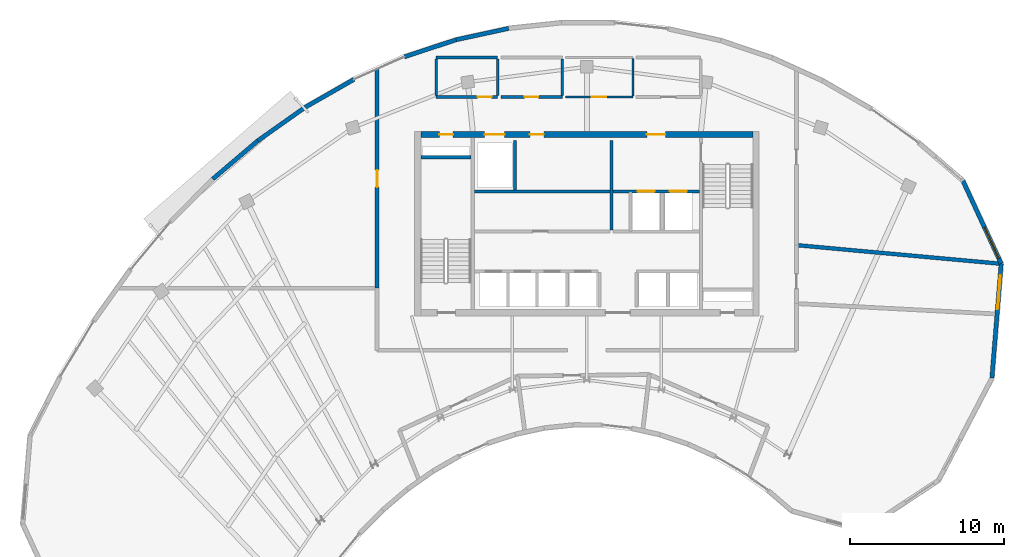
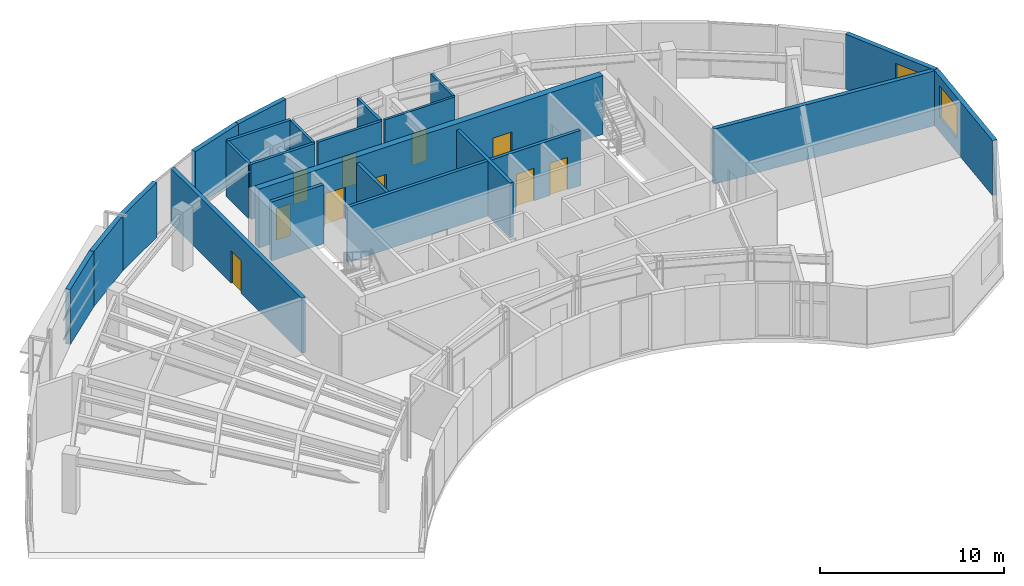
# One storey, part 10 of 12: 23 walls, 10 doors, 2 windows, 12 openings.
"""IFC4 building model written with IfcOpenShell, lengths in metres."""

from ifc_helpers import new_model, si_unit, direction, frame, frame_2d, origin, place, context, subcontext, project, spatial, rectangle, extrude, source, transform, mapped, material, layer, layer_set, type_object, type_shapes, element, fill, save


model = new_model("IFC4")

# Units and contexts
model_context = context("Model", 3, precision=1e-05, world=origin(), true_north=direction((0.0, 1.0)))
body_context = subcontext(model_context, "Body", "Model", "MODEL_VIEW")
ifc_project = project(units=[si_unit("LENGTHUNIT", "METRE"), si_unit("AREAUNIT", "SQUARE_METRE"), si_unit("VOLUMEUNIT", "CUBIC_METRE"), si_unit("PLANEANGLEUNIT", "RADIAN"), si_unit("MASSUNIT", "GRAM", prefix="KILO")], contexts=[model_context])

# Site, building, storey
site_placement = place(None, origin())
site = spatial("IfcSite", under=ifc_project, at=site_placement, CompositionType="ELEMENT")
building_placement = place(site_placement, origin())
building = spatial("IfcBuilding", under=site, at=building_placement, Name="Breltana Convention Tower", CompositionType="ELEMENT")
storey_placement = place(building_placement, frame((0.0, 0.0, 260.10009765625)))
storey = spatial("IfcBuildingStorey", under=building, at=storey_placement, Name="L63", CompositionType="ELEMENT", Elevation=260.10009765625)

# Wall
ifc_material_1 = material(Name="Concrete C50/60", Category="concrete")
ifc_layer_1 = layer(ifc_material_1, 0.39990234375, Name="Concrete C50/60")
ifc_layer_set_1 = layer_set([ifc_layer_1], Name="Concrete C50/60")
wall_type_1 = type_object("IfcWallType", Name="SW-CORE-400", PredefinedType="SHEAR", material=ifc_layer_set_1)
shared_shape_1 = source(origin(), body_context, "Body", "SweptSolid", [
    extrude(rectangle(XDim=3.27001953125, YDim=0.219970703125, at=frame_2d((1.635009765625, 0.0))), origin(), (0.0, 0.0, 1.0), 3.89990234375),
])
wall_1_placement = place(storey_placement, frame((37.199951171875, 70.510009765625, 0.0), z_axis=(0.0, 0.0, 1.0), x_axis=(1.0, 0.0, 0.0)))
element("IfcWall", 1, at=wall_1_placement, inside=storey, type_object=wall_type_1, Name="L63 ST-1 Stairwell North Bearing Wall", PredefinedType="SHEAR", context=body_context, shape_type="MappedRepresentation", body=[
    mapped(shared_shape_1, transform((0.0, 0.0, 0.0), scale=1.0)),
])

# Wall, openings, doors
shared_shape_2 = source(origin(), body_context, "Body", "SweptSolid", [
    extrude(rectangle(XDim=21.60009765625, YDim=0.39990234375, at=frame_2d((10.800048828125, 0.0))), origin(), (0.0, 0.0, 1.0), 3.89990234375),
])
wall_2_placement = place(storey_placement, frame((37.199951171875, 72.0, 0.0), z_axis=(0.0, 0.0, 1.0), x_axis=(1.0, 0.0, 0.0)))
wall_2 = element("IfcWall", 2, at=wall_2_placement, inside=storey, type_object=wall_type_1, Name="L63 North Core Shear Wall", PredefinedType="SHEAR", context=body_context, shape_type="MappedRepresentation", body=[
    mapped(shared_shape_2, transform((0.0, 0.0, 0.0), scale=1.0)),
])
opening_1_placement = place(wall_2_placement, frame((1.199951171875, 0.0, 0.0)))
opening_1 = element("IfcOpeningElement", 3, at=opening_1_placement, cuts=wall_2, Name="Opening D-18", PredefinedType="OPENING", context=body_context, shape_type="SweptSolid", body=[
    extrude(rectangle(XDim=0.89990234375, YDim=2.10009765625, at=frame_2d((0.449951171875, 1.050048828125))), frame((0.0, 0.2099609375, 0.0), z_axis=(0.0, -1.0, 0.0), x_axis=(1.0, 0.0, 0.0)), (0.0, 0.0, 1.0), 0.419921875),
])
opening_2_placement = place(wall_2_placement, frame((14.699951171875, 0.0, 0.0)))
opening_2 = element("IfcOpeningElement", 4, at=opening_2_placement, cuts=wall_2, Name="Opening D-09", PredefinedType="OPENING", context=body_context, shape_type="SweptSolid", body=[
    extrude(rectangle(XDim=1.199951171875, YDim=2.14990234375, at=frame_2d((0.60009765625, 1.074951171875))), frame((0.0, 0.2099609375, 0.0), z_axis=(0.0, -1.0, 0.0), x_axis=(1.0, 0.0, 0.0)), (0.0, 0.0, 1.0), 0.419921875),
])
opening_3_placement = place(wall_2_placement, frame((4.14990234375, 0.0, 0.0)))
opening_3 = element("IfcOpeningElement", 5, at=opening_3_placement, cuts=wall_2, Name="Opening LD-01", PredefinedType="OPENING", context=body_context, shape_type="SweptSolid", body=[
    extrude(rectangle(XDim=1.300048828125, YDim=2.14990234375, at=frame_2d((0.64990234375, 1.074951171875))), frame((0.0, 0.2099609375, 0.0), z_axis=(0.0, -1.0, 0.0), x_axis=(1.0, 0.0, 0.0)), (0.0, 0.0, 1.0), 0.419921875),
])
opening_4_placement = place(wall_2_placement, frame((7.10009765625, 0.0, 0.0)))
opening_4 = element("IfcOpeningElement", 6, at=opening_4_placement, cuts=wall_2, Name="Opening D-18", PredefinedType="OPENING", context=body_context, shape_type="SweptSolid", body=[
    extrude(rectangle(XDim=0.89990234375, YDim=2.10009765625, at=frame_2d((0.449951171875, 1.050048828125))), frame((0.0, 0.2099609375, 0.0), z_axis=(0.0, -1.0, 0.0), x_axis=(1.0, 0.0, 0.0)), (0.0, 0.0, 1.0), 0.419921875),
])
ifc_material_2 = material(Name="Steel Riser Fire Door", Category="steel")
door_type_1 = type_object("IfcDoorType", Name="DR-FD60-900", OperationType="NOTDEFINED", PredefinedType="DOOR", material=ifc_material_2)
shared_shape_3 = source(origin(), body_context, "Body", "SweptSolid", [
    extrude(rectangle(XDim=0.89990234375, YDim=2.10009765625, at=frame_2d((0.449951171875, 1.050048828125))), frame((0.0, 0.02490234375, 0.0), z_axis=(0.0, -1.0, 0.0), x_axis=(1.0, 0.0, 0.0)), (0.0, 0.0, 1.0), 0.050048828125),
])
type_shapes(door_type_1, [shared_shape_3])
door_1_placement = place(opening_1_placement, origin())
door_1 = element("IfcDoor", 7, at=door_1_placement, inside=storey, type_object=door_type_1, Name="L63 Core Riser Access Door D-L63-RS1", OperationType="SINGLE_SWING_LEFT", OverallHeight=2.10009765625, OverallWidth=0.89990234375, PredefinedType="DOOR", context=body_context, shape_type="MappedRepresentation", body=[
    mapped(shared_shape_3, transform((0.0, 0.0, 0.0), scale=1.0)),
])
fill(opening_1, door_1)
door_2_placement = place(opening_4_placement, origin())
door_2 = element("IfcDoor", 8, at=door_2_placement, inside=storey, type_object=door_type_1, Name="L63 interior door D-L63-CRA1", OperationType="SINGLE_SWING_LEFT", OverallHeight=2.10009765625, OverallWidth=0.89990234375, PredefinedType="DOOR", context=body_context, shape_type="MappedRepresentation", body=[
    mapped(shared_shape_3, transform((0.0, 0.0, 0.0), scale=1.0)),
])
fill(opening_4, door_2)
ifc_material_3 = material(Name="Steel Fire Lobby Door", Category="steel")
door_type_2 = type_object("IfcDoorType", Name="DR-FD120-1200", OperationType="NOTDEFINED", PredefinedType="DOOR", material=ifc_material_3)
shared_shape_4 = source(origin(), body_context, "Body", "SweptSolid", [
    extrude(rectangle(XDim=1.199951171875, YDim=2.14990234375, at=frame_2d((0.60009765625, 1.074951171875))), frame((0.0, 0.02490234375, 0.0), z_axis=(0.0, -1.0, 0.0), x_axis=(1.0, 0.0, 0.0)), (0.0, 0.0, 1.0), 0.050048828125),
])
type_shapes(door_type_2, [shared_shape_4])
door_3_placement = place(opening_2_placement, origin())
door_3 = element("IfcDoor", 9, at=door_3_placement, inside=storey, type_object=door_type_2, Name="L63 interior door D-L63-FFL-N", OperationType="SINGLE_SWING_RIGHT", OverallHeight=2.14990234375, OverallWidth=1.199951171875, PredefinedType="DOOR", context=body_context, shape_type="MappedRepresentation", body=[
    mapped(shared_shape_4, transform((0.0, 0.0, 0.0), scale=1.0)),
])
fill(opening_2, door_3)
ifc_material_4 = material(Name="Stainless Steel Brushed", Category="steel")
door_type_3 = type_object("IfcDoorType", Name="DR-LD-SRV-1300", OperationType="DOUBLE_DOOR_SLIDING", PredefinedType="DOOR", material=ifc_material_4)
shared_shape_5 = source(origin(), body_context, "Body", "SweptSolid", [
    extrude(rectangle(XDim=1.300048828125, YDim=2.14990234375, at=frame_2d((0.64990234375, 1.074951171875))), frame((0.0, 0.02490234375, 0.0), z_axis=(0.0, -1.0, 0.0), x_axis=(1.0, 0.0, 0.0)), (0.0, 0.0, 1.0), 0.050048828125),
])
type_shapes(door_type_3, [shared_shape_5])
door_4_placement = place(opening_3_placement, origin())
door_4 = element("IfcDoor", 10, at=door_4_placement, inside=storey, type_object=door_type_3, Name="L63 Lift Landing Door D-L63-LD-SV1", OperationType="DOUBLE_DOOR_SLIDING", OverallHeight=2.14990234375, OverallWidth=1.300048828125, PredefinedType="DOOR", context=body_context, shape_type="MappedRepresentation", body=[
    mapped(shared_shape_5, transform((0.0, 0.0, 0.0), scale=1.0)),
])
fill(opening_3, door_4)

# Wall, opening, window
ifc_material_5 = material(Name="Limestone Buff Insulated Wall", Category="masonry")
ifc_layer_2 = layer(ifc_material_5, 0.280029296875, Name="Limestone Buff Insulated Wall")
ifc_layer_set_2 = layer_set([ifc_layer_2], Name="Limestone Buff Insulated Wall")
wall_type_2 = type_object("IfcWallType", Name="WL-EXT-NOSE-280", PredefinedType="SOLIDWALL", material=ifc_layer_set_2)
shared_shape_6 = source(origin(), body_context, "Body", "SweptSolid", [
    extrude(rectangle(XDim=5.927978515625, YDim=0.280029296875, at=frame_2d((2.9638671875, 0.0))), origin(), (0.0, 0.0, 1.0), 3.64990234375),
])
wall_3_placement = place(storey_placement, frame((72.45947265625, 68.978759765625, 0.0), z_axis=(0.0, 0.0, 1.0), x_axis=(0.41942378221, -0.907790554543, 0.0)))
wall_3 = element("IfcWall", 11, at=wall_3_placement, inside=storey, type_object=wall_type_2, Name="L63 curved limestone nose wall E1", PredefinedType="SOLIDWALL", context=body_context, shape_type="MappedRepresentation", body=[
    mapped(shared_shape_6, transform((0.0, 0.0, 0.0), scale=1.0)),
])
opening_5_placement = place(wall_3_placement, frame((3.345947265625, 0.0, 0.949951171875)))
opening_5 = element("IfcOpeningElement", 12, at=opening_5_placement, cuts=wall_3, Name="Opening W-03", PredefinedType="OPENING", context=body_context, shape_type="SweptSolid", body=[
    extrude(rectangle(XDim=2.199951171875, YDim=2.10009765625, at=frame_2d((1.10009765625, 1.050048828125))), frame((0.0, 0.14990234375, 0.0), z_axis=(0.0, -1.0, 0.0), x_axis=(1.0, 0.0, 0.0)), (0.0, 0.0, 1.0), 0.300048828125),
])
ifc_material_6 = material(Name="Glass Low-E Insulated Window", Category="glass")
window_type = type_object("IfcWindowType", Name="WN-NOSE-2200X2100", PartitioningType="TRIPLE_PANEL_VERTICAL", PredefinedType="WINDOW", material=ifc_material_6)
shared_shape_7 = source(origin(), body_context, "Body", "SweptSolid", [
    extrude(rectangle(XDim=2.199951171875, YDim=2.10009765625, at=frame_2d((1.10009765625, 1.050048828125))), frame((0.0, 0.030029296875, 0.0), z_axis=(0.0, -1.0, 0.0), x_axis=(1.0, 0.0, 0.0)), (0.0, 0.0, 1.0), 0.06005859375),
])
type_shapes(window_type, [shared_shape_7])
window_1_placement = place(opening_5_placement, origin())
window_1 = element("IfcWindow", 13, at=window_1_placement, inside=storey, type_object=window_type, Name="L63 nose window E1", OverallHeight=2.10009765625, OverallWidth=2.199951171875, PartitioningType="TRIPLE_PANEL_VERTICAL", PredefinedType="WINDOW", context=body_context, shape_type="MappedRepresentation", body=[
    mapped(shared_shape_7, transform((0.0, 0.0, 0.0), scale=1.0)),
])
fill(opening_5, window_1)

shared_shape_8 = source(origin(), body_context, "Body", "SweptSolid", [
    extrude(rectangle(XDim=7.4658203125, YDim=0.280029296875, at=frame_2d((3.73291015625, 0.0))), origin(), (0.0, 0.0, 1.0), 3.64990234375),
])
wall_4_placement = place(storey_placement, frame((74.94580078125, 63.597412109375, 0.0), z_axis=(0.0, 0.0, 1.0), x_axis=(-0.080804454221, -0.996729973553, 0.0)))
wall_4 = element("IfcWall", 14, at=wall_4_placement, inside=storey, type_object=wall_type_2, Name="L63 curved limestone nose wall E2", PredefinedType="SOLIDWALL", context=body_context, shape_type="MappedRepresentation", body=[
    mapped(shared_shape_8, transform((0.0, 0.0, 0.0), scale=1.0)),
])
opening_6_placement = place(wall_4_placement, frame((0.7666015625, 0.0, 0.949951171875)))
opening_6 = element("IfcOpeningElement", 15, at=opening_6_placement, cuts=wall_4, Name="Opening W-03", PredefinedType="OPENING", context=body_context, shape_type="SweptSolid", body=[
    extrude(rectangle(XDim=2.199951171875, YDim=2.10009765625, at=frame_2d((1.10009765625, 1.050048828125))), frame((0.0, 0.14990234375, 0.0), z_axis=(0.0, -1.0, 0.0), x_axis=(1.0, 0.0, 0.0)), (0.0, 0.0, 1.0), 0.300048828125),
])
window_2_placement = place(opening_6_placement, origin())
window_2 = element("IfcWindow", 16, at=window_2_placement, inside=storey, type_object=window_type, Name="L63 nose window E2", OverallHeight=2.10009765625, OverallWidth=2.199951171875, PartitioningType="TRIPLE_PANEL_VERTICAL", PredefinedType="WINDOW", context=body_context, shape_type="MappedRepresentation", body=[
    mapped(shared_shape_7, transform((0.0, 0.0, 0.0), scale=1.0)),
])
fill(opening_6, window_2)

# Walls
shared_shape_9 = source(origin(), body_context, "Body", "SweptSolid", [
    extrude(rectangle(XDim=3.842529296875, YDim=0.280029296875, at=frame_2d((1.92138671875, 0.0))), origin(), (0.0, 0.0, 1.0), 3.64990234375),
])
wall_5_placement = place(storey_placement, frame((23.669677734375, 69.101318359375, 0.0), z_axis=(0.0, 0.0, 1.0), x_axis=(0.761508028279, 0.648155477387, 0.0)))
element("IfcWall", 17, at=wall_5_placement, inside=storey, type_object=wall_type_2, Name="L63 curved limestone nose wall E22", PredefinedType="SOLIDWALL", context=body_context, shape_type="MappedRepresentation", body=[
    mapped(shared_shape_9, transform((0.0, 0.0, 0.0), scale=1.0)),
])
shared_shape_10 = source(origin(), body_context, "Body", "SweptSolid", [
    extrude(rectangle(XDim=3.752685546875, YDim=0.280029296875, at=frame_2d((1.87646484375, 0.0))), origin(), (0.0, 0.0, 1.0), 3.64990234375),
])
wall_6_placement = place(storey_placement, frame((26.595703125, 71.591796875, 0.0), z_axis=(0.0, 0.0, 1.0), x_axis=(0.8170129364, 0.576619338693, 0.0)))
element("IfcWall", 18, at=wall_6_placement, inside=storey, type_object=wall_type_2, Name="L63 curved limestone nose wall E23", PredefinedType="SOLIDWALL", context=body_context, shape_type="MappedRepresentation", body=[
    mapped(shared_shape_10, transform((0.0, 0.0, 0.0), scale=1.0)),
])
shared_shape_11 = source(origin(), body_context, "Body", "SweptSolid", [
    extrude(rectangle(XDim=3.6708984375, YDim=0.280029296875, at=frame_2d((1.83544921875, 0.0))), origin(), (0.0, 0.0, 1.0), 3.64990234375),
])
wall_7_placement = place(storey_placement, frame((29.66162109375, 73.755615234375, 0.0), z_axis=(0.0, 0.0, 1.0), x_axis=(0.867931917784, 0.496683184829, 0.0)))
element("IfcWall", 19, at=wall_7_placement, inside=storey, type_object=wall_type_2, Name="L63 curved limestone nose wall E24", PredefinedType="SOLIDWALL", context=body_context, shape_type="MappedRepresentation", body=[
    mapped(shared_shape_11, transform((0.0, 0.0, 0.0), scale=1.0)),
])
shared_shape_12 = source(origin(), body_context, "Body", "SweptSolid", [
    extrude(rectangle(XDim=3.540283203125, YDim=0.280029296875, at=frame_2d((1.77001953125, 0.0))), origin(), (0.0, 0.0, 1.0), 3.64990234375),
])
wall_8_placement = place(storey_placement, frame((36.13232421875, 77.04931640625, 0.0), z_axis=(0.0, 0.0, 1.0), x_axis=(0.949678507031, 0.313226329165, 0.0)))
element("IfcWall", 20, at=wall_8_placement, inside=storey, type_object=wall_type_2, Name="L63 curved limestone nose wall E25", PredefinedType="SOLIDWALL", context=body_context, shape_type="MappedRepresentation", body=[
    mapped(shared_shape_12, transform((0.0, 0.0, 0.0), scale=1.0)),
])
shared_shape_13 = source(origin(), body_context, "Body", "SweptSolid", [
    extrude(rectangle(XDim=3.49658203125, YDim=0.280029296875, at=frame_2d((1.748291015625, 0.0))), origin(), (0.0, 0.0, 1.0), 3.64990234375),
])
wall_9_placement = place(storey_placement, frame((39.494384765625, 78.158203125, 0.0), z_axis=(0.0, 0.0, 1.0), x_axis=(0.977379460136, 0.211493240802, 0.0)))
element("IfcWall", 21, at=wall_9_placement, inside=storey, type_object=wall_type_2, Name="L63 curved limestone nose wall E26", PredefinedType="SOLIDWALL", context=body_context, shape_type="MappedRepresentation", body=[
    mapped(shared_shape_13, transform((0.0, 0.0, 0.0), scale=1.0)),
])

# Wall, openings, doors
ifc_material_7 = material(Name="Autoclaved Aerated Concrete Block", Category="concrete")
ifc_layer_3 = layer(ifc_material_7, 0.199951171875, Name="Autoclaved Aerated Concrete Block")
ifc_layer_set_3 = layer_set([ifc_layer_3], Name="Autoclaved Aerated Concrete Block")
wall_type_3 = type_object("IfcWallType", Name="WL-SHAFT-200", PredefinedType="SOLIDWALL", material=ifc_layer_set_3)
shared_shape_14 = source(origin(), body_context, "Body", "SweptSolid", [
    extrude(rectangle(XDim=5.6201171875, YDim=0.199951171875, at=frame_2d((2.81005859375, 0.0))), origin(), (0.0, 0.0, 1.0), 3.64990234375),
])
wall_10_placement = place(storey_placement, frame((49.699951171875, 68.300048828125, 0.0), z_axis=(0.0, 0.0, 1.0), x_axis=(1.0, 0.0, 0.0)))
wall_10 = element("IfcWall", 22, at=wall_10_placement, inside=storey, type_object=wall_type_3, Name="L63 interior partition W-L63-FFL-S", PredefinedType="SOLIDWALL", context=body_context, shape_type="MappedRepresentation", body=[
    mapped(shared_shape_14, transform((0.0, 0.0, 0.0), scale=1.0)),
])
opening_7_placement = place(wall_10_placement, frame((1.60009765625, 0.0, 0.0)))
opening_7 = element("IfcOpeningElement", 23, at=opening_7_placement, cuts=wall_10, Name="Opening LD-03", PredefinedType="OPENING", context=body_context, shape_type="SweptSolid", body=[
    extrude(rectangle(XDim=1.10009765625, YDim=2.14990234375, at=frame_2d((0.550048828125, 1.074951171875))), frame((0.0, 0.10986328125, 0.0), z_axis=(0.0, -1.0, 0.0), x_axis=(1.0, 0.0, 0.0)), (0.0, 0.0, 1.0), 0.219970703125),
])
opening_8_placement = place(wall_10_placement, frame((3.699951171875, 0.0, 0.0)))
opening_8 = element("IfcOpeningElement", 24, at=opening_8_placement, cuts=wall_10, Name="Opening LD-03", PredefinedType="OPENING", context=body_context, shape_type="SweptSolid", body=[
    extrude(rectangle(XDim=1.10009765625, YDim=2.14990234375, at=frame_2d((0.550048828125, 1.074951171875))), frame((0.0, 0.10986328125, 0.0), z_axis=(0.0, -1.0, 0.0), x_axis=(1.0, 0.0, 0.0)), (0.0, 0.0, 1.0), 0.219970703125),
])
door_type_4 = type_object("IfcDoorType", Name="DR-LD-FF-1100", OperationType="DOUBLE_DOOR_SLIDING", PredefinedType="DOOR", material=ifc_material_4)
shared_shape_15 = source(origin(), body_context, "Body", "SweptSolid", [
    extrude(rectangle(XDim=1.10009765625, YDim=2.14990234375, at=frame_2d((0.550048828125, 1.074951171875))), frame((0.0, 0.02490234375, 0.0), z_axis=(0.0, -1.0, 0.0), x_axis=(1.0, 0.0, 0.0)), (0.0, 0.0, 1.0), 0.050048828125),
])
type_shapes(door_type_4, [shared_shape_15])
door_5_placement = place(opening_7_placement, origin())
door_5 = element("IfcDoor", 25, at=door_5_placement, inside=storey, type_object=door_type_4, Name="L63 Lift Landing Door D-L63-LD-FL1", OperationType="DOUBLE_DOOR_SLIDING", OverallHeight=2.14990234375, OverallWidth=1.10009765625, PredefinedType="DOOR", context=body_context, shape_type="MappedRepresentation", body=[
    mapped(shared_shape_15, transform((0.0, 0.0, 0.0), scale=1.0)),
])
fill(opening_7, door_5)
door_6_placement = place(opening_8_placement, origin())
door_6 = element("IfcDoor", 26, at=door_6_placement, inside=storey, type_object=door_type_4, Name="L63 Lift Landing Door D-L63-LD-FL2", OperationType="DOUBLE_DOOR_SLIDING", OverallHeight=2.14990234375, OverallWidth=1.10009765625, PredefinedType="DOOR", context=body_context, shape_type="MappedRepresentation", body=[
    mapped(shared_shape_15, transform((0.0, 0.0, 0.0), scale=1.0)),
])
fill(opening_8, door_6)

# Walls
shared_shape_16 = source(origin(), body_context, "Body", "SweptSolid", [
    extrude(rectangle(XDim=5.800048828125, YDim=0.199951171875, at=frame_2d((2.89990234375, 0.0))), origin(), (0.0, 0.0, 1.0), 3.64990234375),
])
wall_11_placement = place(storey_placement, frame((49.60009765625, 65.800048828125, 0.0), z_axis=(0.0, 0.0, 1.0), x_axis=(0.0, 1.0, 0.0)))
element("IfcWall", 27, at=wall_11_placement, inside=storey, type_object=wall_type_3, Name="L63 interior partition W-L63-FFL-W", PredefinedType="SOLIDWALL", context=body_context, shape_type="MappedRepresentation", body=[
    mapped(shared_shape_16, transform((0.0, 0.0, 0.0), scale=1.0)),
])
shared_shape_17 = source(origin(), body_context, "Body", "SweptSolid", [
    extrude(rectangle(XDim=3.2001953125, YDim=0.199951171875, at=frame_2d((1.60009765625, 0.0))), origin(), (0.0, 0.0, 1.0), 3.64990234375),
])
wall_12_placement = place(storey_placement, frame((43.320068359375, 68.39990234375, 0.0), z_axis=(0.0, 0.0, 1.0), x_axis=(0.0, 1.0, 0.0)))
element("IfcWall", 28, at=wall_12_placement, inside=storey, type_object=wall_type_3, Name="L63 interior partition W-L63-SV-E", PredefinedType="SOLIDWALL", context=body_context, shape_type="MappedRepresentation", body=[
    mapped(shared_shape_17, transform((0.0, 0.0, 0.0), scale=1.0)),
])
shared_shape_18 = source(origin(), body_context, "Body", "SweptSolid", [
    extrude(rectangle(XDim=8.800048828125, YDim=0.199951171875, at=frame_2d((4.39990234375, 0.0))), origin(), (0.0, 0.0, 1.0), 3.64990234375),
])
wall_13_placement = place(storey_placement, frame((40.699951171875, 68.300048828125, 0.0), z_axis=(0.0, 0.0, 1.0), x_axis=(1.0, 0.0, 0.0)))
element("IfcWall", 29, at=wall_13_placement, inside=storey, type_object=wall_type_3, Name="L63 interior partition W-L63-SV-S", PredefinedType="SOLIDWALL", context=body_context, shape_type="MappedRepresentation", body=[
    mapped(shared_shape_18, transform((0.0, 0.0, 0.0), scale=1.0)),
])

# Wall, opening, door
ifc_material_8 = material(Name="Cement Board Wet-Area Partition")
ifc_layer_4 = layer(ifc_material_8, 0.175048828125, Name="Cement Board Wet-Area Partition")
ifc_layer_set_4 = layer_set([ifc_layer_4], Name="Cement Board Wet-Area Partition")
wall_type_4 = type_object("IfcWallType", Name="WL-WET-175", PredefinedType="PARTITIONING", material=ifc_layer_set_4)
shared_shape_19 = source(origin(), body_context, "Body", "SweptSolid", [
    extrude(rectangle(XDim=4.0, YDim=0.175048828125, at=frame_2d((2.0, 0.0))), origin(), (0.0, 0.0, 1.0), 3.64990234375),
])
wall_14_placement = place(storey_placement, frame((38.199951171875, 74.43994140625, 0.0), z_axis=(0.0, 0.0, 1.0), x_axis=(1.0, 0.0, 0.0)))
wall_14 = element("IfcWall", 30, at=wall_14_placement, inside=storey, type_object=wall_type_4, Name="L63 interior partition W-L63-WCM-S", PredefinedType="PARTITIONING", context=body_context, shape_type="MappedRepresentation", body=[
    mapped(shared_shape_19, transform((0.0, 0.0, 0.0), scale=1.0)),
])
opening_9_placement = place(wall_14_placement, frame((2.699951171875, 0.0, 0.0)))
opening_9 = element("IfcOpeningElement", 31, at=opening_9_placement, cuts=wall_14, Name="Opening D-19", PredefinedType="OPENING", context=body_context, shape_type="SweptSolid", body=[
    extrude(rectangle(XDim=0.89990234375, YDim=2.080078125, at=frame_2d((0.449951171875, 1.0400390625))), frame((0.0, 0.09765625, 0.0), z_axis=(0.0, -1.0, 0.0), x_axis=(1.0, 0.0, 0.0)), (0.0, 0.0, 1.0), 0.195068359375),
])
ifc_material_9 = material(Name="Timber Moisture-Resistant Door", Category="wood")
door_type_5 = type_object("IfcDoorType", Name="DR-WC-900", OperationType="NOTDEFINED", PredefinedType="DOOR", material=ifc_material_9)
shared_shape_20 = source(origin(), body_context, "Body", "SweptSolid", [
    extrude(rectangle(XDim=0.89990234375, YDim=2.080078125, at=frame_2d((0.449951171875, 1.0400390625))), frame((0.0, 0.02490234375, 0.0), z_axis=(0.0, -1.0, 0.0), x_axis=(1.0, 0.0, 0.0)), (0.0, 0.0, 1.0), 0.050048828125),
])
type_shapes(door_type_5, [shared_shape_20])
door_7_placement = place(opening_9_placement, origin())
door_7 = element("IfcDoor", 32, at=door_7_placement, inside=storey, type_object=door_type_5, Name="L63 interior door D-L63-WCM", OperationType="SINGLE_SWING_LEFT", OverallHeight=2.080078125, OverallWidth=0.89990234375, PredefinedType="DOOR", context=body_context, shape_type="MappedRepresentation", body=[
    mapped(shared_shape_20, transform((0.0, 0.0, 0.0), scale=1.0)),
])
fill(opening_9, door_7)

wall_15_placement = place(storey_placement, frame((42.39990234375, 74.43994140625, 0.0), z_axis=(0.0, 0.0, 1.0), x_axis=(1.0, 0.0, 0.0)))
wall_15 = element("IfcWall", 33, at=wall_15_placement, inside=storey, type_object=wall_type_4, Name="L63 interior partition W-L63-WCF-S", PredefinedType="PARTITIONING", context=body_context, shape_type="MappedRepresentation", body=[
    mapped(shared_shape_19, transform((0.0, 0.0, 0.0), scale=1.0)),
])
opening_10_placement = place(wall_15_placement, frame((1.550048828125, 0.0, 0.0)))
opening_10 = element("IfcOpeningElement", 34, at=opening_10_placement, cuts=wall_15, Name="Opening D-19", PredefinedType="OPENING", context=body_context, shape_type="SweptSolid", body=[
    extrude(rectangle(XDim=0.89990234375, YDim=2.080078125, at=frame_2d((0.449951171875, 1.0400390625))), frame((0.0, 0.09765625, 0.0), z_axis=(0.0, -1.0, 0.0), x_axis=(1.0, 0.0, 0.0)), (0.0, 0.0, 1.0), 0.195068359375),
])
door_8_placement = place(opening_10_placement, origin())
door_8 = element("IfcDoor", 35, at=door_8_placement, inside=storey, type_object=door_type_5, Name="L63 interior door D-L63-WCF", OperationType="SINGLE_SWING_RIGHT", OverallHeight=2.080078125, OverallWidth=0.89990234375, PredefinedType="DOOR", context=body_context, shape_type="MappedRepresentation", body=[
    mapped(shared_shape_20, transform((0.0, 0.0, 0.0), scale=1.0)),
])
fill(opening_10, door_8)

# Walls
ifc_material_10 = material(Name="Moisture-Resistant Gypsum Chase Wall")
ifc_layer_5 = layer(ifc_material_10, 0.179931640625, Name="Moisture-Resistant Gypsum Chase Wall")
ifc_layer_set_5 = layer_set([ifc_layer_5], Name="Moisture-Resistant Gypsum Chase Wall")
wall_type_5 = type_object("IfcWallType", Name="WL-PLUMB-180", PredefinedType="PLUMBINGWALL", material=ifc_layer_set_5)
shared_shape_21 = source(origin(), body_context, "Body", "SweptSolid", [
    extrude(rectangle(XDim=4.0, YDim=0.179931640625, at=frame_2d((2.0, 0.0))), origin(), (0.0, 0.0, 1.0), 3.64990234375),
])
wall_16_placement = place(storey_placement, frame((38.199951171875, 77.0, 0.0), z_axis=(0.0, 0.0, 1.0), x_axis=(1.0, 0.0, 0.0)))
element("IfcWall", 36, at=wall_16_placement, inside=storey, type_object=wall_type_5, Name="L63 interior partition W-L63-WCM-N", PredefinedType="PLUMBINGWALL", context=body_context, shape_type="MappedRepresentation", body=[
    mapped(shared_shape_21, transform((0.0, 0.0, 0.0), scale=1.0)),
])
shared_shape_22 = source(origin(), body_context, "Body", "SweptSolid", [
    extrude(rectangle(XDim=2.402587890625, YDim=0.175048828125, at=frame_2d((1.201171875, 0.0))), origin(), (0.0, 0.0, 1.0), 3.64990234375),
])
for number, where, z_axis, x_axis, name in (
    (37, (38.199951171875, 74.518798828125, 0.0), (0.0, 0.0, 1.0), (0.0, 1.0, 0.0), "L63 interior partition W-L63-WCM-W"),
    (38, (42.199951171875, 74.518798828125, 0.0), (0.0, 0.0, 1.0), (0.0, 1.0, 0.0), "L63 interior partition W-L63-WCM-E"),
    (39, (46.39990234375, 74.518798828125, 0.0), (0.0, 0.0, 1.0), (0.0, 1.0, 0.0), "L63 interior partition W-L63-WCF-E"),
):
    element("IfcWall", number, at=place(storey_placement, frame(where, z_axis=z_axis, x_axis=x_axis)), inside=storey, type_object=wall_type_4, Name=name, PredefinedType="PARTITIONING", context=body_context, shape_type="MappedRepresentation", body=[
        mapped(shared_shape_22, transform((0.0, 0.0, 0.0), scale=1.0)),
    ])

# Wall, opening, door
ifc_material_11 = material(Name="Gypsum Acoustic Drywall Partition")
ifc_layer_6 = layer(ifc_material_11, 0.14990234375, Name="Gypsum Acoustic Drywall Partition")
ifc_layer_set_6 = layer_set([ifc_layer_6], Name="Gypsum Acoustic Drywall Partition")
wall_type_6 = type_object("IfcWallType", Name="WL-PART-150", PredefinedType="PARTITIONING", material=ifc_layer_set_6)
shared_shape_23 = source(origin(), body_context, "Body", "SweptSolid", [
    extrude(rectangle(XDim=4.39990234375, YDim=0.14990234375, at=frame_2d((2.199951171875, 0.0))), origin(), (0.0, 0.0, 1.0), 3.64990234375),
])
wall_17_placement = place(storey_placement, frame((46.60009765625, 74.43994140625, 0.0), z_axis=(0.0, 0.0, 1.0), x_axis=(1.0, 0.0, 0.0)))
wall_17 = element("IfcWall", 40, at=wall_17_placement, inside=storey, type_object=wall_type_6, Name="L63 interior partition W-L63-PNT-S", PredefinedType="PARTITIONING", context=body_context, shape_type="MappedRepresentation", body=[
    mapped(shared_shape_23, transform((0.0, 0.0, 0.0), scale=1.0)),
])
opening_11_placement = place(wall_17_placement, frame((1.72509765625, 0.0, 0.0)))
opening_11 = element("IfcOpeningElement", 41, at=opening_11_placement, cuts=wall_17, Name="Opening D-17", PredefinedType="OPENING", context=body_context, shape_type="SweptSolid", body=[
    extrude(rectangle(XDim=0.949951171875, YDim=2.10009765625, at=frame_2d((0.47509765625, 1.050048828125))), frame((0.0, 0.0849609375, 0.0), z_axis=(0.0, -1.0, 0.0), x_axis=(1.0, 0.0, 0.0)), (0.0, 0.0, 1.0), 0.169921875),
])
ifc_material_12 = material(Name="Timber Oak Veneer Door", Category="wood")
door_type_6 = type_object("IfcDoorType", Name="DR-INT-950", OperationType="NOTDEFINED", PredefinedType="DOOR", material=ifc_material_12)
shared_shape_24 = source(origin(), body_context, "Body", "SweptSolid", [
    extrude(rectangle(XDim=0.949951171875, YDim=2.10009765625, at=frame_2d((0.47509765625, 1.050048828125))), frame((0.0, 0.02490234375, 0.0), z_axis=(0.0, -1.0, 0.0), x_axis=(1.0, 0.0, 0.0)), (0.0, 0.0, 1.0), 0.050048828125),
])
type_shapes(door_type_6, [shared_shape_24])
door_9_placement = place(opening_11_placement, origin())
door_9 = element("IfcDoor", 42, at=door_9_placement, inside=storey, type_object=door_type_6, Name="L63 interior door D-L63-PNT", OperationType="SINGLE_SWING_LEFT", OverallHeight=2.10009765625, OverallWidth=0.949951171875, PredefinedType="DOOR", context=body_context, shape_type="MappedRepresentation", body=[
    mapped(shared_shape_24, transform((0.0, 0.0, 0.0), scale=1.0)),
])
fill(opening_11, door_9)

# Wall
shared_shape_25 = source(origin(), body_context, "Body", "SweptSolid", [
    extrude(rectangle(XDim=2.425048828125, YDim=0.14990234375, at=frame_2d((1.21240234375, 0.0))), origin(), (0.0, 0.0, 1.0), 3.64990234375),
])
wall_18_placement = place(storey_placement, frame((51.0, 74.507568359375, 0.0), z_axis=(0.0, 0.0, 1.0), x_axis=(0.0, 1.0, 0.0)))
element("IfcWall", 43, at=wall_18_placement, inside=storey, type_object=wall_type_6, Name="L63 interior partition W-L63-PNT-E", PredefinedType="PARTITIONING", context=body_context, shape_type="MappedRepresentation", body=[
    mapped(shared_shape_25, transform((0.0, 0.0, 0.0), scale=1.0)),
])

# Wall, opening, door
ifc_material_13 = material(Name="Gypsum Acoustic Double Stud Wall")
ifc_layer_7 = layer(ifc_material_13, 0.25, Name="Gypsum Acoustic Double Stud Wall")
ifc_layer_set_7 = layer_set([ifc_layer_7], Name="Gypsum Acoustic Double Stud Wall")
wall_type_7 = type_object("IfcWallType", Name="WL-ACOUSTIC-250", PredefinedType="PARTITIONING", material=ifc_layer_set_7)
shared_shape_26 = source(origin(), body_context, "Body", "SweptSolid", [
    extrude(rectangle(XDim=14.244873046875, YDim=0.25, at=frame_2d((7.12255859375, 0.0))), origin(), (0.0, 0.0, 1.0), 3.64990234375),
])
wall_19_placement = place(storey_placement, frame((34.360107421875, 62.0, 0.0), z_axis=(0.0, 0.0, 1.0), x_axis=(0.0, 1.0, 0.0)))
wall_19 = element("IfcWall", 44, at=wall_19_placement, inside=storey, type_object=wall_type_7, Name="L63 interior partition W-L63-EXW2-ENT", PredefinedType="PARTITIONING", context=body_context, shape_type="MappedRepresentation", body=[
    mapped(shared_shape_26, transform((0.0, 0.0, 0.0), scale=1.0)),
])
opening_12_placement = place(wall_19_placement, frame((6.572509765625, 0.0, 0.0)))
opening_12 = element("IfcOpeningElement", 45, at=opening_12_placement, cuts=wall_19, Name="Opening D-12", PredefinedType="OPENING", context=body_context, shape_type="SweptSolid", body=[
    extrude(rectangle(XDim=1.10009765625, YDim=2.14990234375, at=frame_2d((0.550048828125, 1.074951171875))), frame((0.0, 0.135009765625, 0.0), z_axis=(0.0, -1.0, 0.0), x_axis=(1.0, 0.0, 0.0)), (0.0, 0.0, 1.0), 0.27001953125),
])
ifc_material_14 = material(Name="Timber Oak Acoustic Door", Category="wood")
door_type_7 = type_object("IfcDoorType", Name="DR-INT-1100", OperationType="NOTDEFINED", PredefinedType="DOOR", material=ifc_material_14)
shared_shape_27 = source(origin(), body_context, "Body", "SweptSolid", [
    extrude(rectangle(XDim=1.10009765625, YDim=2.14990234375, at=frame_2d((0.550048828125, 1.074951171875))), frame((0.0, 0.02490234375, 0.0), z_axis=(0.0, -1.0, 0.0), x_axis=(1.0, 0.0, 0.0)), (0.0, 0.0, 1.0), 0.050048828125),
])
type_shapes(door_type_7, [shared_shape_27])
door_10_placement = place(opening_12_placement, origin())
door_10 = element("IfcDoor", 46, at=door_10_placement, inside=storey, type_object=door_type_7, Name="L63 interior door D-L63-EXW2", OperationType="SINGLE_SWING_LEFT", OverallHeight=2.14990234375, OverallWidth=1.10009765625, PredefinedType="DOOR", context=body_context, shape_type="MappedRepresentation", body=[
    mapped(shared_shape_27, transform((0.0, 0.0, 0.0), scale=1.0)),
])
fill(opening_12, door_10)

# Wall
shared_shape_28 = source(origin(), body_context, "Body", "SweptSolid", [
    extrude(rectangle(XDim=13.227783203125, YDim=0.25, at=frame_2d((6.61376953125, 0.0))), origin(), (0.0, 0.0, 1.0), 3.64990234375),
])
wall_20_placement = place(storey_placement, frame((61.639892578125, 64.800048828125, 0.0), z_axis=(0.0, 0.0, 1.0), x_axis=(0.995868510157, -0.090806995755, 0.0)))
element("IfcWall", 47, at=wall_20_placement, inside=storey, type_object=wall_type_7, Name="L63 interior partition W-L63-EXE2-N", PredefinedType="PARTITIONING", context=body_context, shape_type="MappedRepresentation", body=[
    mapped(shared_shape_28, transform((0.0, 0.0, 0.0), scale=1.0)),
])

save(model, "model.ifc")
